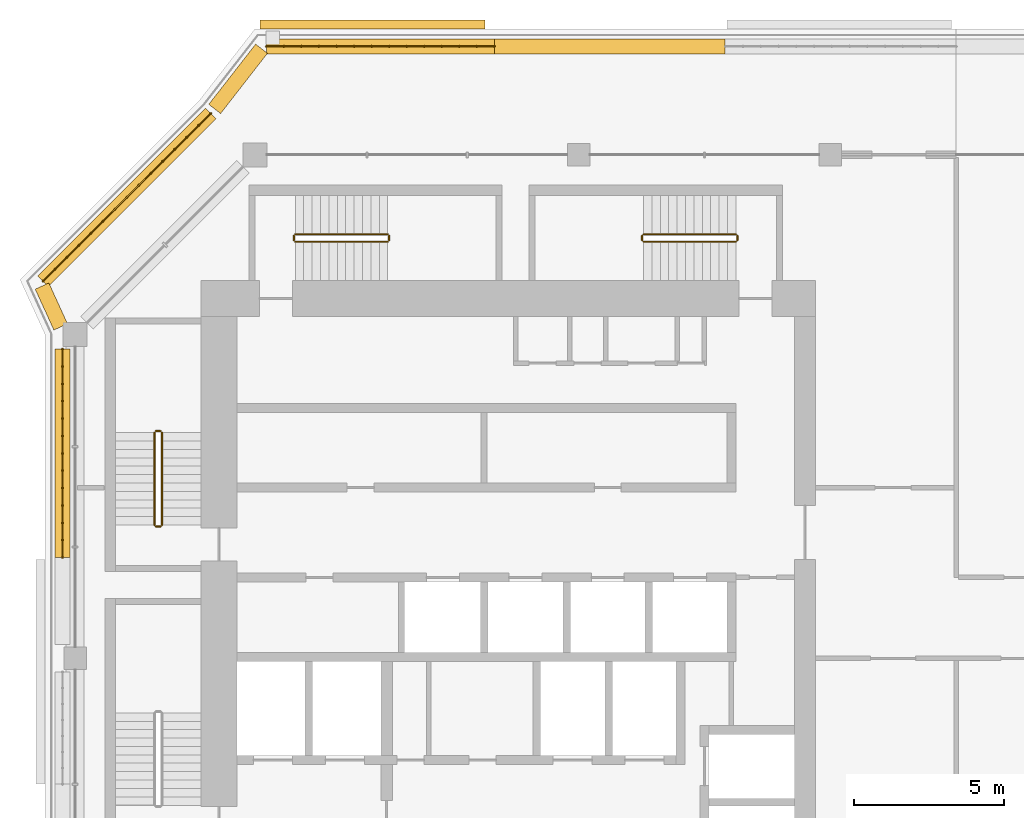
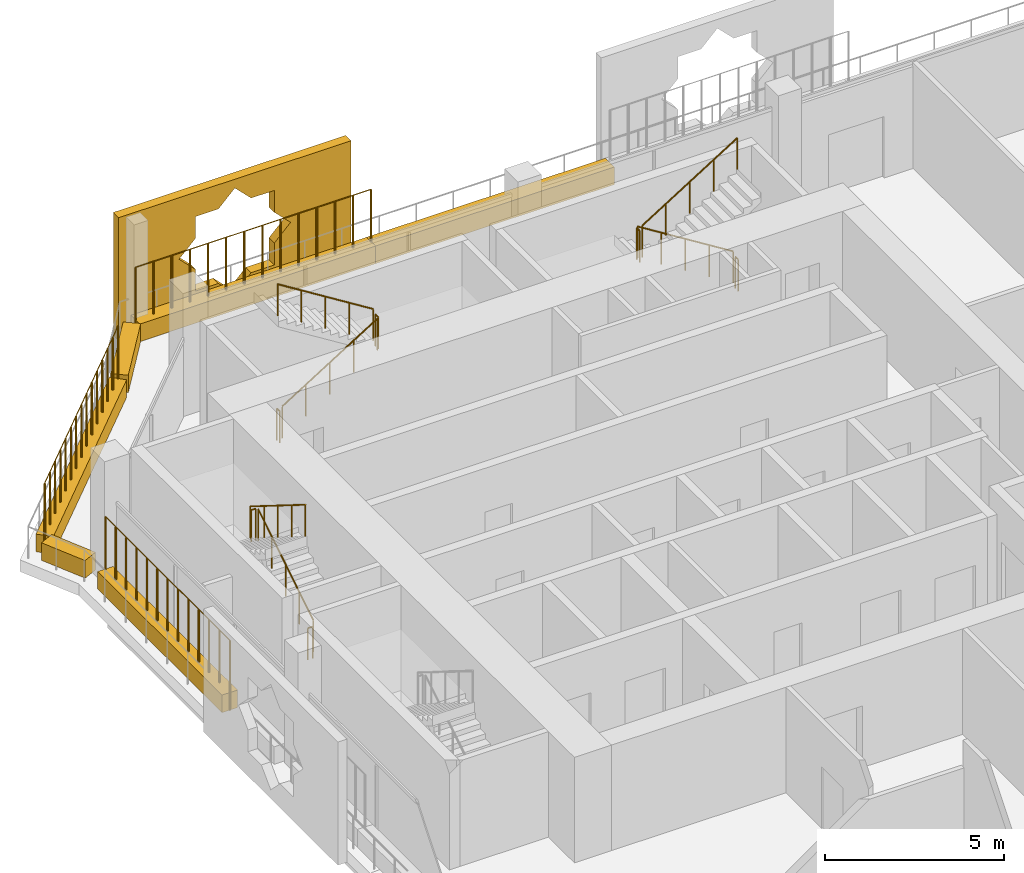
# One storey, part 19 of 21: 15 railings, 7 coverings.
"""IFC4 building model written with IfcOpenShell, lengths in metres."""

from ifc_helpers import new_model, si_unit, direction, frame, origin, origin_2d, place, context, subcontext, project, spatial, polyline, rectangle, circle, outline, extrude, material, material_profile, profile_set, type_object, element, save


model = new_model("IFC4")

# Units and contexts
model_context = context("Model", 3, precision=1e-05, world=origin(), true_north=direction((0.0, 1.0)))
body_context = subcontext(model_context, "Body", "Model", "MODEL_VIEW")
ifc_project = project(units=[si_unit("LENGTHUNIT", "METRE"), si_unit("AREAUNIT", "SQUARE_METRE"), si_unit("VOLUMEUNIT", "CUBIC_METRE"), si_unit("PLANEANGLEUNIT", "RADIAN"), si_unit("MASSUNIT", "GRAM", prefix="KILO")], contexts=[model_context])

# Site, building, storey
site_placement = place(None, origin())
site = spatial("IfcSite", under=ifc_project, at=site_placement, CompositionType="ELEMENT")
building_placement = place(site_placement, origin())
building = spatial("IfcBuilding", under=site, at=building_placement, Name="Kawkab Arch Medical Tower", CompositionType="ELEMENT")
storey_placement = place(building_placement, frame((0.0, 0.0, 319.60009765625)))
storey = spatial("IfcBuildingStorey", under=building, at=storey_placement, Name="L74", CompositionType="ELEMENT", Elevation=319.60009765625)

# Coverings
ifc_material_1 = material(Name="Bronze anodised aluminium mashrabiya panel, eight-point star pattern", Category="aluminium")
ifc_material_profile_1 = material_profile(ifc_material_1, outline(polyline([(-3.75, -2.10009765625), (3.75, -2.10009765625), (3.75, 2.10009765625), (-3.75, 2.10009765625), (-3.75, -2.10009765625)]), holes=[polyline([(1.800048828125, 0.0), (1.272705078125, 0.527099609375), (1.272705078125, 1.272705078125), (0.527099609375, 1.272705078125), (0.0, 1.800048828125), (-0.527099609375, 1.272705078125), (-1.272705078125, 1.272705078125), (-1.272705078125, 0.527099609375), (-1.800048828125, 0.0), (-1.272705078125, -0.527099609375), (-1.272705078125, -1.272705078125), (-0.527099609375, -1.272705078125), (0.0, -1.800048828125), (0.527099609375, -1.272705078125), (1.272705078125, -1.272705078125), (1.272705078125, -0.527099609375), (1.800048828125, 0.0)])]), Name="Mashrabiya panel 7500x4200")
ifc_profile_set_1 = profile_set([ifc_material_profile_1], Name="Bronze anodised aluminium mashrabiya panel, eight-point star pattern")
covering_type_1 = type_object("IfcCoveringType", Name="Mashrabiya panel 7500 x 4200", PredefinedType="USERDEFINED", material=ifc_profile_set_1)
covering_1_placement = place(storey_placement, frame((9.924072265625, 4.199951171875, 1.699951171875), z_axis=(0.0, 1.0, 0.0), x_axis=(-1.0, 0.0, 0.0)))
element("IfcCovering", 1, at=covering_1_placement, inside=storey, type_object=covering_type_1, Name="Mashrabiya panel L74.LOG-01-01.3", ObjectType="SCREEN", PredefinedType="USERDEFINED", context=body_context, shape_type="SweptSolid", body=[
    extrude(outline(polyline([(-3.75, -2.10009765625), (3.75, -2.10009765625), (3.75, 2.10009765625), (-3.75, 2.10009765625), (-3.75, -2.10009765625)]), holes=[polyline([(1.800048828125, 0.0), (1.272705078125, 0.527099609375), (1.272705078125, 1.272705078125), (0.527099609375, 1.272705078125), (0.0, 1.800048828125), (-0.527099609375, 1.272705078125), (-1.272705078125, 1.272705078125), (-1.272705078125, 0.527099609375), (-1.800048828125, 0.0), (-1.272705078125, -0.527099609375), (-1.272705078125, -1.272705078125), (-0.527099609375, -1.272705078125), (0.0, -1.800048828125), (0.527099609375, -1.272705078125), (1.272705078125, -1.272705078125), (1.272705078125, -0.527099609375), (1.800048828125, 0.0)])]), origin(), (0.0, 0.0, 1.0), 0.300048828125),
])
ifc_material_2 = material(Name="Planting soil in a precast trough", Category="concrete")
ifc_material_profile_2 = material_profile(ifc_material_2, rectangle(XDim=0.5, YDim=0.60009765625, at=origin_2d()), Name="Trough 500x600")
ifc_profile_set_2 = profile_set([ifc_material_profile_2], Name="Planting soil in a precast trough")
covering_type_2 = type_object("IfcCoveringType", Name="Planter trough 500 x 600", PredefinedType="USERDEFINED", material=ifc_profile_set_2)
covering_2_placement = place(storey_placement, frame((-0.419921875, -13.43701171875, 0.2998046875), z_axis=(0.0, 1.0, 0.0), x_axis=(-1.0, 0.0, 0.0)))
element("IfcCovering", 2, at=covering_2_placement, inside=storey, type_object=covering_type_2, Name="Planter L74.LOG-01-01.9", ObjectType="PLANTER", PredefinedType="USERDEFINED", context=body_context, shape_type="SweptSolid", body=[
    extrude(rectangle(XDim=0.5, YDim=0.60009765625, at=origin_2d()), origin(), (0.0, 0.0, 1.0), 6.95703125),
])
covering_3_placement = place(storey_placement, frame((-0.47998046875, -5.741943359375, 0.2998046875), z_axis=(-0.415189748133, 0.909734836667, 0.0), x_axis=(-0.909734836667, -0.415189748133, 0.0)))
element("IfcCovering", 3, at=covering_3_placement, inside=storey, type_object=covering_type_2, Name="Planter L74.LOG-01-01.10", ObjectType="PLANTER", PredefinedType="USERDEFINED", context=body_context, shape_type="SweptSolid", body=[
    extrude(rectangle(XDim=0.5, YDim=0.60009765625, at=origin_2d()), origin(), (0.0, 0.0, 1.0), 1.498291015625),
])
covering_4_placement = place(storey_placement, frame((-1.072998046875, -4.217041015625, 0.2998046875), z_axis=(0.707106781187, 0.707106781187, 0.0), x_axis=(-0.707106781187, 0.707106781187, 0.0)))
element("IfcCovering", 4, at=covering_4_placement, inside=storey, type_object=covering_type_2, Name="Planter L74.LOG-01-01.11", ObjectType="PLANTER", PredefinedType="USERDEFINED", context=body_context, shape_type="SweptSolid", body=[
    extrude(rectangle(XDim=0.5, YDim=0.60009765625, at=origin_2d()), origin(), (0.0, 0.0, 1.0), 7.919677734375),
])
covering_5_placement = place(storey_placement, frame((4.658935546875, 1.531982421875, 0.2998046875), z_axis=(0.61404021143, 0.789274742246, 0.0), x_axis=(-0.789274742246, 0.61404021143, 0.0)))
element("IfcCovering", 5, at=covering_5_placement, inside=storey, type_object=covering_type_2, Name="Planter L74.LOG-01-01.12", ObjectType="PLANTER", PredefinedType="USERDEFINED", context=body_context, shape_type="SweptSolid", body=[
    extrude(rectangle(XDim=0.5, YDim=0.60009765625, at=origin_2d()), origin(), (0.0, 0.0, 1.0), 2.54541015625),
])
covering_6_placement = place(storey_placement, frame((6.384033203125, 3.6201171875, 0.2998046875), z_axis=(1.0, 0.0, 0.0), x_axis=(0.0, 1.0, 0.0)))
element("IfcCovering", 6, at=covering_6_placement, inside=storey, type_object=covering_type_2, Name="Planter L74.LOG-01-01.13", ObjectType="PLANTER", PredefinedType="USERDEFINED", context=body_context, shape_type="SweptSolid", body=[
    extrude(rectangle(XDim=0.5, YDim=0.60009765625, at=origin_2d()), origin(), (0.0, 0.0, 1.0), 7.60498046875),
])
covering_7_placement = place(storey_placement, frame((13.989013671875, 3.6201171875, 0.2998046875), z_axis=(1.0, 0.0, 0.0), x_axis=(0.0, 1.0, 0.0)))
element("IfcCovering", 7, at=covering_7_placement, inside=storey, type_object=covering_type_2, Name="Planter L74.LOG-01-01.14", ObjectType="PLANTER", PredefinedType="USERDEFINED", context=body_context, shape_type="SweptSolid", body=[
    extrude(rectangle(XDim=0.5, YDim=0.60009765625, at=origin_2d()), origin(), (0.0, 0.0, 1.0), 7.7060546875),
])

# Railings
ifc_material_3 = material(Name="Bronze anodised aluminium trellis for climbing plants", Category="aluminium")
railing_type_1 = type_object("IfcRailingType", Name="Planting trellis 2400", PredefinedType="USERDEFINED", material=ifc_material_3)
railing_1_placement = place(storey_placement, frame((-0.419921875, -13.43701171875, 0.0)))
element("IfcRailing", 8, at=railing_1_placement, inside=storey, type_object=railing_type_1, Name="Planting trellis L74.LOG-01-01.9", ObjectType="TRELLIS", PredefinedType="USERDEFINED", context=body_context, shape_type="SweptSolid", body=[
    extrude(circle(Radius=0.01513671875, at=origin_2d()), frame((0.0, 0.0, 2.384765625), z_axis=(0.0, 1.0, 0.0), x_axis=(-1.0, 0.0, 0.0)), (0.0, 0.0, 1.0), 6.95703125),
    extrude(circle(Radius=0.030029296875, at=origin_2d()), origin(), (0.0, 0.0, 1.0), 2.369873046875),
    extrude(circle(Radius=0.030029296875, at=origin_2d()), frame((0.0, 0.579833984375, 0.0)), (0.0, 0.0, 1.0), 2.369873046875),
    extrude(circle(Radius=0.030029296875, at=origin_2d()), frame((0.0, 1.159423828125, 0.0)), (0.0, 0.0, 1.0), 2.369873046875),
    extrude(circle(Radius=0.030029296875, at=origin_2d()), frame((0.0, 1.7392578125, 0.0)), (0.0, 0.0, 1.0), 2.369873046875),
    extrude(circle(Radius=0.030029296875, at=origin_2d()), frame((0.0, 2.319091796875, 0.0)), (0.0, 0.0, 1.0), 2.369873046875),
    extrude(circle(Radius=0.030029296875, at=origin_2d()), frame((0.0, 2.898681640625, 0.0)), (0.0, 0.0, 1.0), 2.369873046875),
    extrude(circle(Radius=0.030029296875, at=origin_2d()), frame((0.0, 3.478515625, 0.0)), (0.0, 0.0, 1.0), 2.369873046875),
    extrude(circle(Radius=0.030029296875, at=origin_2d()), frame((0.0, 4.058349609375, 0.0)), (0.0, 0.0, 1.0), 2.369873046875),
    extrude(circle(Radius=0.030029296875, at=origin_2d()), frame((0.0, 4.637939453125, 0.0)), (0.0, 0.0, 1.0), 2.369873046875),
    extrude(circle(Radius=0.030029296875, at=origin_2d()), frame((0.0, 5.2177734375, 0.0)), (0.0, 0.0, 1.0), 2.369873046875),
    extrude(circle(Radius=0.030029296875, at=origin_2d()), frame((0.0, 5.797607421875, 0.0)), (0.0, 0.0, 1.0), 2.369873046875),
    extrude(circle(Radius=0.030029296875, at=origin_2d()), frame((0.0, 6.377197265625, 0.0)), (0.0, 0.0, 1.0), 2.369873046875),
    extrude(circle(Radius=0.030029296875, at=origin_2d()), frame((0.0, 6.95703125, 0.0)), (0.0, 0.0, 1.0), 2.369873046875),
])
railing_2_placement = place(storey_placement, frame((-1.072998046875, -4.217041015625, 0.0)))
element("IfcRailing", 9, at=railing_2_placement, inside=storey, type_object=railing_type_1, Name="Planting trellis L74.LOG-01-01.11", ObjectType="TRELLIS", PredefinedType="USERDEFINED", context=body_context, shape_type="SweptSolid", body=[
    extrude(circle(Radius=0.01513671875, at=origin_2d()), frame((0.0, 0.0, 2.384765625), z_axis=(0.707106781187, 0.707106781187, 0.0), x_axis=(-0.707106781187, 0.707106781187, 0.0)), (0.0, 0.0, 1.0), 7.919677734375),
    extrude(circle(Radius=0.030029296875, at=origin_2d()), origin(), (0.0, 0.0, 1.0), 2.369873046875),
    extrude(circle(Radius=0.030029296875, at=origin_2d()), frame((0.39990234375, 0.39990234375, 0.0)), (0.0, 0.0, 1.0), 2.369873046875),
    extrude(circle(Radius=0.030029296875, at=origin_2d()), frame((0.800048828125, 0.800048828125, 0.0)), (0.0, 0.0, 1.0), 2.369873046875),
    extrude(circle(Radius=0.030029296875, at=origin_2d()), frame((1.199951171875, 1.199951171875, 0.0)), (0.0, 0.0, 1.0), 2.369873046875),
    extrude(circle(Radius=0.030029296875, at=origin_2d()), frame((1.60009765625, 1.60009765625, 0.0)), (0.0, 0.0, 1.0), 2.369873046875),
    extrude(circle(Radius=0.030029296875, at=origin_2d()), frame((2.0, 2.0, 0.0)), (0.0, 0.0, 1.0), 2.369873046875),
    extrude(circle(Radius=0.030029296875, at=origin_2d()), frame((2.400146484375, 2.400146484375, 0.0)), (0.0, 0.0, 1.0), 2.369873046875),
    extrude(circle(Radius=0.030029296875, at=origin_2d()), frame((2.800048828125, 2.800048828125, 0.0)), (0.0, 0.0, 1.0), 2.369873046875),
    extrude(circle(Radius=0.030029296875, at=origin_2d()), frame((3.199951171875, 3.199951171875, 0.0)), (0.0, 0.0, 1.0), 2.369873046875),
    extrude(circle(Radius=0.030029296875, at=origin_2d()), frame((3.60009765625, 3.60009765625, 0.0)), (0.0, 0.0, 1.0), 2.369873046875),
    extrude(circle(Radius=0.030029296875, at=origin_2d()), frame((4.0, 4.0, 0.0)), (0.0, 0.0, 1.0), 2.369873046875),
    extrude(circle(Radius=0.030029296875, at=origin_2d()), frame((4.400146484375, 4.400146484375, 0.0)), (0.0, 0.0, 1.0), 2.369873046875),
    extrude(circle(Radius=0.030029296875, at=origin_2d()), frame((4.800048828125, 4.800048828125, 0.0)), (0.0, 0.0, 1.0), 2.369873046875),
    extrude(circle(Radius=0.030029296875, at=origin_2d()), frame((5.2001953125, 5.2001953125, 0.0)), (0.0, 0.0, 1.0), 2.369873046875),
    extrude(circle(Radius=0.030029296875, at=origin_2d()), frame((5.60009765625, 5.60009765625, 0.0)), (0.0, 0.0, 1.0), 2.369873046875),
])
railing_3_placement = place(storey_placement, frame((6.384033203125, 3.6201171875, 0.0)))
element("IfcRailing", 10, at=railing_3_placement, inside=storey, type_object=railing_type_1, Name="Planting trellis L74.LOG-01-01.13", ObjectType="TRELLIS", PredefinedType="USERDEFINED", context=body_context, shape_type="SweptSolid", body=[
    extrude(circle(Radius=0.01513671875, at=origin_2d()), frame((0.0, 0.0, 2.384765625), z_axis=(1.0, 0.0, 0.0), x_axis=(0.0, 1.0, 0.0)), (0.0, 0.0, 1.0), 7.60498046875),
    extrude(circle(Radius=0.030029296875, at=origin_2d()), origin(), (0.0, 0.0, 1.0), 2.369873046875),
    extrude(circle(Radius=0.030029296875, at=origin_2d()), frame((0.5849609375, 0.0, 0.0)), (0.0, 0.0, 1.0), 2.369873046875),
    extrude(circle(Radius=0.030029296875, at=origin_2d()), frame((1.169921875, 0.0, 0.0)), (0.0, 0.0, 1.0), 2.369873046875),
    extrude(circle(Radius=0.030029296875, at=origin_2d()), frame((1.7548828125, 0.0, 0.0)), (0.0, 0.0, 1.0), 2.369873046875),
    extrude(circle(Radius=0.030029296875, at=origin_2d()), frame((2.340087890625, 0.0, 0.0)), (0.0, 0.0, 1.0), 2.369873046875),
    extrude(circle(Radius=0.030029296875, at=origin_2d()), frame((2.925048828125, 0.0, 0.0)), (0.0, 0.0, 1.0), 2.369873046875),
    extrude(circle(Radius=0.030029296875, at=origin_2d()), frame((3.510009765625, 0.0, 0.0)), (0.0, 0.0, 1.0), 2.369873046875),
    extrude(circle(Radius=0.030029296875, at=origin_2d()), frame((4.094970703125, 0.0, 0.0)), (0.0, 0.0, 1.0), 2.369873046875),
    extrude(circle(Radius=0.030029296875, at=origin_2d()), frame((4.679931640625, 0.0, 0.0)), (0.0, 0.0, 1.0), 2.369873046875),
    extrude(circle(Radius=0.030029296875, at=origin_2d()), frame((5.264892578125, 0.0, 0.0)), (0.0, 0.0, 1.0), 2.369873046875),
    extrude(circle(Radius=0.030029296875, at=origin_2d()), frame((5.85009765625, 0.0, 0.0)), (0.0, 0.0, 1.0), 2.369873046875),
    extrude(circle(Radius=0.030029296875, at=origin_2d()), frame((6.43505859375, 0.0, 0.0)), (0.0, 0.0, 1.0), 2.369873046875),
    extrude(circle(Radius=0.030029296875, at=origin_2d()), frame((7.02001953125, 0.0, 0.0)), (0.0, 0.0, 1.0), 2.369873046875),
    extrude(circle(Radius=0.030029296875, at=origin_2d()), frame((7.60498046875, 0.0, 0.0)), (0.0, 0.0, 1.0), 2.369873046875),
])
ifc_material_4 = material(Name="Stainless steel", Category="steel")
railing_type_2 = type_object("IfcRailingType", Name="Stair guard 1100", PredefinedType="GUARDRAIL", material=ifc_material_4)
railing_4_placement = place(storey_placement, frame((2.89990234375, -12.35009765625, 0.1748046875)))
element("IfcRailing", 11, at=railing_4_placement, inside=storey, type_object=railing_type_2, Name="L74 ST1 stair guard 1", PredefinedType="GUARDRAIL", context=body_context, shape_type="SweptSolid", body=[
    extrude(circle(Radius=0.02392578125, at=origin_2d()), frame((0.0, 0.0, 1.076171875), z_axis=(0.0, 0.847998304005, 0.529998940003), x_axis=(-1.0, 0.0, 0.0)), (0.0, 0.0, 1.0), 3.632080078125),
    extrude(circle(Radius=0.02099609375, at=origin_2d()), origin(), (0.0, 0.0, 1.0), 1.052001953125),
    extrude(circle(Radius=0.02099609375, at=origin_2d()), frame((0.0, 0.77001953125, 0.481201171875)), (0.0, 0.0, 1.0), 1.052001953125),
    extrude(circle(Radius=0.02099609375, at=origin_2d()), frame((0.0, 1.5400390625, 0.96240234375)), (0.0, 0.0, 1.0), 1.052001953125),
    extrude(circle(Radius=0.02099609375, at=origin_2d()), frame((0.0, 2.31005859375, 1.44384765625)), (0.0, 0.0, 1.0), 1.052001953125),
    extrude(circle(Radius=0.02099609375, at=origin_2d()), frame((0.0, 3.080078125, 1.925048828125)), (0.0, 0.0, 1.0), 1.052001953125),
])
railing_5_placement = place(storey_placement, frame((2.85009765625, -9.219970703125, 2.099853515625)))
element("IfcRailing", 12, at=railing_5_placement, inside=storey, type_object=railing_type_2, Name="L74 ST1 stair guard 2", PredefinedType="GUARDRAIL", context=body_context, shape_type="SweptSolid", body=[
    extrude(circle(Radius=0.02392578125, at=origin_2d()), frame((0.0, 0.0, 1.076171875), z_axis=(-1.0, 0.0, 0.0), x_axis=(0.0, -1.0, 0.0)), (0.0, 0.0, 1.0), 0.150146484375),
    extrude(circle(Radius=0.02099609375, at=origin_2d()), origin(), (0.0, 0.0, 1.0), 1.052001953125),
    extrude(circle(Radius=0.02099609375, at=origin_2d()), frame((-0.150146484375, 0.0, 0.0)), (0.0, 0.0, 1.0), 1.052001953125),
])
railing_6_placement = place(storey_placement, frame((2.64990234375, -9.27001953125, 2.27490234375)))
element("IfcRailing", 13, at=railing_6_placement, inside=storey, type_object=railing_type_2, Name="L74 ST1 stair guard 3", PredefinedType="GUARDRAIL", context=body_context, shape_type="SweptSolid", body=[
    extrude(circle(Radius=0.02392578125, at=origin_2d()), frame((0.0, 0.0, 1.076171875), z_axis=(0.0, -0.847998304005, 0.529998940003), x_axis=(1.0, 0.0, 0.0)), (0.0, 0.0, 1.0), 3.632080078125),
    extrude(circle(Radius=0.02099609375, at=origin_2d()), origin(), (0.0, 0.0, 1.0), 1.052001953125),
    extrude(circle(Radius=0.02099609375, at=origin_2d()), frame((0.0, -0.77001953125, 0.481201171875)), (0.0, 0.0, 1.0), 1.052001953125),
    extrude(circle(Radius=0.02099609375, at=origin_2d()), frame((0.0, -1.5400390625, 0.96240234375)), (0.0, 0.0, 1.0), 1.052001953125),
    extrude(circle(Radius=0.02099609375, at=origin_2d()), frame((0.0, -2.31005859375, 1.44384765625)), (0.0, 0.0, 1.0), 1.052001953125),
    extrude(circle(Radius=0.02099609375, at=origin_2d()), frame((0.0, -3.080078125, 1.925048828125)), (0.0, 0.0, 1.0), 1.052001953125),
])
railing_7_placement = place(storey_placement, frame((2.85009765625, -12.39990234375, 0.0)))
element("IfcRailing", 14, at=railing_7_placement, inside=storey, type_object=railing_type_2, Name="L74 ST1 stair guard 4", PredefinedType="GUARDRAIL", context=body_context, shape_type="SweptSolid", body=[
    extrude(circle(Radius=0.02392578125, at=origin_2d()), frame((0.0, 0.0, 1.076171875), z_axis=(-1.0, 0.0, 0.0), x_axis=(0.0, -1.0, 0.0)), (0.0, 0.0, 1.0), 0.150146484375),
    extrude(circle(Radius=0.02099609375, at=origin_2d()), origin(), (0.0, 0.0, 1.0), 1.052001953125),
    extrude(circle(Radius=0.02099609375, at=origin_2d()), frame((-0.150146484375, 0.0, 0.0)), (0.0, 0.0, 1.0), 1.052001953125),
])
railing_8_placement = place(storey_placement, frame((7.35009765625, -2.89990234375, 0.1748046875)))
element("IfcRailing", 15, at=railing_8_placement, inside=storey, type_object=railing_type_2, Name="L74 ST3 stair guard 1", PredefinedType="GUARDRAIL", context=body_context, shape_type="SweptSolid", body=[
    extrude(circle(Radius=0.02392578125, at=origin_2d()), frame((0.0, 0.0, 1.076171875), z_axis=(0.847979421464, 0.0, 0.530029150871), x_axis=(0.0, 1.0, 0.0)), (0.0, 0.0, 1.0), 3.632080078125),
    extrude(circle(Radius=0.02099609375, at=origin_2d()), origin(), (0.0, 0.0, 1.0), 1.052001953125),
    extrude(circle(Radius=0.02099609375, at=origin_2d()), frame((0.77001953125, 0.0, 0.481201171875)), (0.0, 0.0, 1.0), 1.052001953125),
    extrude(circle(Radius=0.02099609375, at=origin_2d()), frame((1.5400390625, 0.0, 0.96240234375)), (0.0, 0.0, 1.0), 1.052001953125),
    extrude(circle(Radius=0.02099609375, at=origin_2d()), frame((2.309814453125, 0.0, 1.44384765625)), (0.0, 0.0, 1.0), 1.052001953125),
    extrude(circle(Radius=0.02099609375, at=origin_2d()), frame((3.079833984375, 0.0, 1.925048828125)), (0.0, 0.0, 1.0), 1.052001953125),
])
railing_9_placement = place(storey_placement, frame((10.47998046875, -2.85009765625, 2.099853515625)))
element("IfcRailing", 16, at=railing_9_placement, inside=storey, type_object=railing_type_2, Name="L74 ST3 stair guard 2", PredefinedType="GUARDRAIL", context=body_context, shape_type="SweptSolid", body=[
    extrude(circle(Radius=0.02392578125, at=origin_2d()), frame((0.0, 0.0, 1.076171875), z_axis=(0.0, 1.0, 0.0), x_axis=(-1.0, 0.0, 0.0)), (0.0, 0.0, 1.0), 0.150146484375),
    extrude(circle(Radius=0.02099609375, at=origin_2d()), origin(), (0.0, 0.0, 1.0), 1.052001953125),
    extrude(circle(Radius=0.02099609375, at=origin_2d()), frame((0.0, 0.150146484375, 0.0)), (0.0, 0.0, 1.0), 1.052001953125),
])
railing_10_placement = place(storey_placement, frame((10.429931640625, -2.64990234375, 2.27490234375)))
element("IfcRailing", 17, at=railing_10_placement, inside=storey, type_object=railing_type_2, Name="L74 ST3 stair guard 3", PredefinedType="GUARDRAIL", context=body_context, shape_type="SweptSolid", body=[
    extrude(circle(Radius=0.02392578125, at=origin_2d()), frame((0.0, 0.0, 1.076171875), z_axis=(-0.847979421464, 0.0, 0.530029150871), x_axis=(0.0, -1.0, 0.0)), (0.0, 0.0, 1.0), 3.632080078125),
    extrude(circle(Radius=0.02099609375, at=origin_2d()), origin(), (0.0, 0.0, 1.0), 1.052001953125),
    extrude(circle(Radius=0.02099609375, at=origin_2d()), frame((-0.77001953125, 0.0, 0.481201171875)), (0.0, 0.0, 1.0), 1.052001953125),
    extrude(circle(Radius=0.02099609375, at=origin_2d()), frame((-1.5400390625, 0.0, 0.96240234375)), (0.0, 0.0, 1.0), 1.052001953125),
    extrude(circle(Radius=0.02099609375, at=origin_2d()), frame((-2.309814453125, 0.0, 1.44384765625)), (0.0, 0.0, 1.0), 1.052001953125),
    extrude(circle(Radius=0.02099609375, at=origin_2d()), frame((-3.079833984375, 0.0, 1.925048828125)), (0.0, 0.0, 1.0), 1.052001953125),
])
railing_11_placement = place(storey_placement, frame((7.300048828125, -2.85009765625, 0.0)))
element("IfcRailing", 18, at=railing_11_placement, inside=storey, type_object=railing_type_2, Name="L74 ST3 stair guard 4", PredefinedType="GUARDRAIL", context=body_context, shape_type="SweptSolid", body=[
    extrude(circle(Radius=0.02392578125, at=origin_2d()), frame((0.0, 0.0, 1.076171875), z_axis=(0.0, 1.0, 0.0), x_axis=(-1.0, 0.0, 0.0)), (0.0, 0.0, 1.0), 0.150146484375),
    extrude(circle(Radius=0.02099609375, at=origin_2d()), origin(), (0.0, 0.0, 1.0), 1.052001953125),
    extrude(circle(Radius=0.02099609375, at=origin_2d()), frame((0.0, 0.150146484375, 0.0)), (0.0, 0.0, 1.0), 1.052001953125),
])
railing_12_placement = place(storey_placement, frame((22.050048828125, -2.64990234375, 0.1748046875)))
element("IfcRailing", 19, at=railing_12_placement, inside=storey, type_object=railing_type_2, Name="L74 ST4 stair guard 1", PredefinedType="GUARDRAIL", context=body_context, shape_type="SweptSolid", body=[
    extrude(circle(Radius=0.02392578125, at=origin_2d()), frame((0.0, 0.0, 1.076171875), z_axis=(-0.847998304005, 0.0, 0.529998940003), x_axis=(0.0, -1.0, 0.0)), (0.0, 0.0, 1.0), 3.632080078125),
    extrude(circle(Radius=0.02099609375, at=origin_2d()), origin(), (0.0, 0.0, 1.0), 1.052001953125),
    extrude(circle(Radius=0.02099609375, at=origin_2d()), frame((-0.77001953125, 0.0, 0.481201171875)), (0.0, 0.0, 1.0), 1.052001953125),
    extrude(circle(Radius=0.02099609375, at=origin_2d()), frame((-1.5400390625, 0.0, 0.96240234375)), (0.0, 0.0, 1.0), 1.052001953125),
    extrude(circle(Radius=0.02099609375, at=origin_2d()), frame((-2.31005859375, 0.0, 1.44384765625)), (0.0, 0.0, 1.0), 1.052001953125),
    extrude(circle(Radius=0.02099609375, at=origin_2d()), frame((-3.080078125, 0.0, 1.925048828125)), (0.0, 0.0, 1.0), 1.052001953125),
])
railing_13_placement = place(storey_placement, frame((18.919921875, -2.699951171875, 2.099853515625)))
element("IfcRailing", 20, at=railing_13_placement, inside=storey, type_object=railing_type_2, Name="L74 ST4 stair guard 2", PredefinedType="GUARDRAIL", context=body_context, shape_type="SweptSolid", body=[
    extrude(circle(Radius=0.02392578125, at=origin_2d()), frame((0.0, 0.0, 1.076171875), z_axis=(0.0, -1.0, 0.0), x_axis=(1.0, 0.0, 0.0)), (0.0, 0.0, 1.0), 0.150146484375),
    extrude(circle(Radius=0.02099609375, at=origin_2d()), origin(), (0.0, 0.0, 1.0), 1.052001953125),
    extrude(circle(Radius=0.02099609375, at=origin_2d()), frame((0.0, -0.150146484375, 0.0)), (0.0, 0.0, 1.0), 1.052001953125),
])
railing_14_placement = place(storey_placement, frame((18.969970703125, -2.89990234375, 2.27490234375)))
element("IfcRailing", 21, at=railing_14_placement, inside=storey, type_object=railing_type_2, Name="L74 ST4 stair guard 3", PredefinedType="GUARDRAIL", context=body_context, shape_type="SweptSolid", body=[
    extrude(circle(Radius=0.02392578125, at=origin_2d()), frame((0.0, 0.0, 1.076171875), z_axis=(0.847998304005, 0.0, 0.529998940003), x_axis=(0.0, 1.0, 0.0)), (0.0, 0.0, 1.0), 3.632080078125),
    extrude(circle(Radius=0.02099609375, at=origin_2d()), origin(), (0.0, 0.0, 1.0), 1.052001953125),
    extrude(circle(Radius=0.02099609375, at=origin_2d()), frame((0.77001953125, 0.0, 0.481201171875)), (0.0, 0.0, 1.0), 1.052001953125),
    extrude(circle(Radius=0.02099609375, at=origin_2d()), frame((1.5400390625, 0.0, 0.96240234375)), (0.0, 0.0, 1.0), 1.052001953125),
    extrude(circle(Radius=0.02099609375, at=origin_2d()), frame((2.31005859375, 0.0, 1.44384765625)), (0.0, 0.0, 1.0), 1.052001953125),
    extrude(circle(Radius=0.02099609375, at=origin_2d()), frame((3.080078125, 0.0, 1.925048828125)), (0.0, 0.0, 1.0), 1.052001953125),
])
railing_15_placement = place(storey_placement, frame((22.10009765625, -2.699951171875, 0.0)))
element("IfcRailing", 22, at=railing_15_placement, inside=storey, type_object=railing_type_2, Name="L74 ST4 stair guard 4", PredefinedType="GUARDRAIL", context=body_context, shape_type="SweptSolid", body=[
    extrude(circle(Radius=0.02392578125, at=origin_2d()), frame((0.0, 0.0, 1.076171875), z_axis=(0.0, -1.0, 0.0), x_axis=(1.0, 0.0, 0.0)), (0.0, 0.0, 1.0), 0.150146484375),
    extrude(circle(Radius=0.02099609375, at=origin_2d()), origin(), (0.0, 0.0, 1.0), 1.052001953125),
    extrude(circle(Radius=0.02099609375, at=origin_2d()), frame((0.0, -0.150146484375, 0.0)), (0.0, 0.0, 1.0), 1.052001953125),
])

save(model, "model.ifc")
